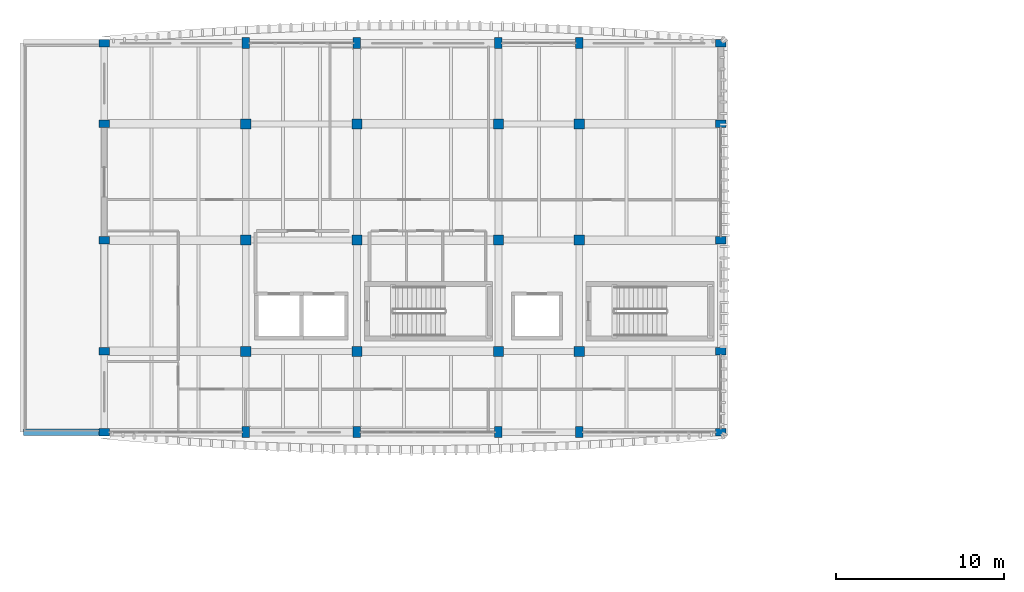
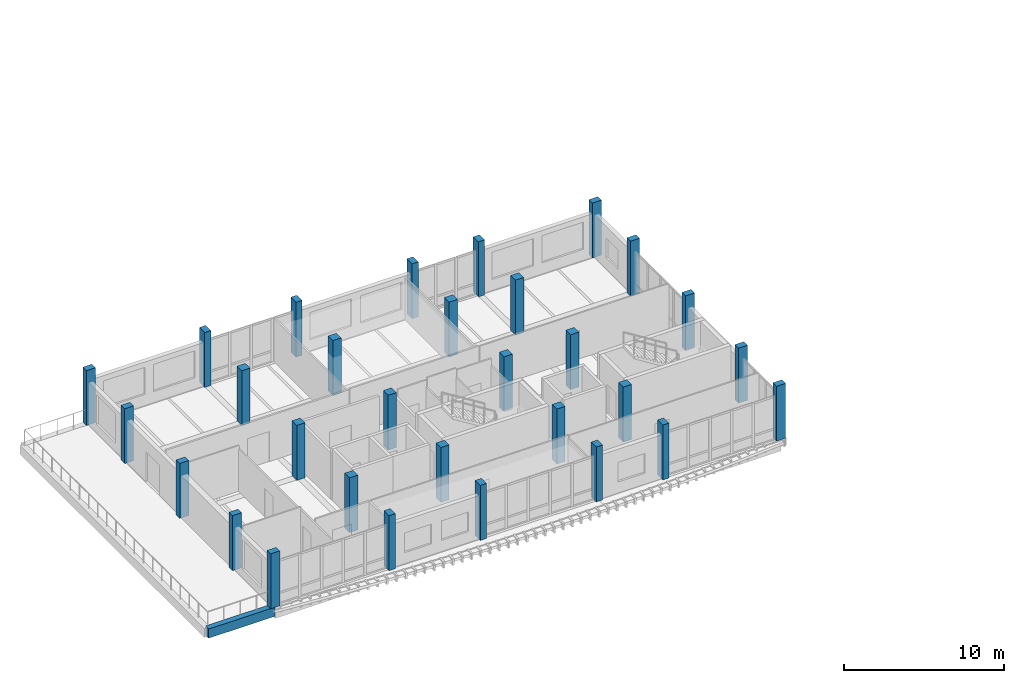
# One storey, part 1 of 20: 30 columns, 1 beam.
"""IFC4 building model written with IfcOpenShell, lengths in metres."""

from ifc_helpers import new_model, si_unit, direction, frame, origin, origin_2d, place, context, subcontext, project, spatial, rectangle, extrude, material, material_profile, profile_set, type_object, element, save


model = new_model("IFC4")

# Units and contexts
model_context = context("Model", 3, precision=1e-05, world=origin(), true_north=direction((0.0, 1.0)))
body_context = subcontext(model_context, "Body", "Model", "MODEL_VIEW")
ifc_project = project(units=[si_unit("LENGTHUNIT", "METRE"), si_unit("AREAUNIT", "SQUARE_METRE"), si_unit("VOLUMEUNIT", "CUBIC_METRE"), si_unit("PLANEANGLEUNIT", "RADIAN"), si_unit("MASSUNIT", "GRAM", prefix="KILO")], contexts=[model_context])

# Site, building, storey
site_placement = place(None, origin())
site = spatial("IfcSite", under=ifc_project, at=site_placement, CompositionType="ELEMENT")
building_placement = place(site_placement, origin())
building = spatial("IfcBuilding", under=site, at=building_placement, Name="Dornvale Research Institute", CompositionType="ELEMENT")
storey_placement = place(building_placement, frame((0.0, 0.0, 34.199951171875)))
storey = spatial("IfcBuildingStorey", under=building, at=storey_placement, Name="L07", CompositionType="ELEMENT", Elevation=34.199951171875)

# Columns
ifc_material_1 = material(Name="Concrete f'c 45 MPa (C35/45)", Category="concrete")
ifc_material_profile_1 = material_profile(ifc_material_1, rectangle(XDim=0.60009765625, YDim=0.60009765625, at=origin_2d()), Name="RC 600x600")
ifc_profile_set_1 = profile_set([ifc_material_profile_1], Name="Concrete f'c 45 MPa (C35/45)")
column_type_1 = type_object("IfcColumnType", Name="Column_RC600", PredefinedType="COLUMN", material=ifc_profile_set_1)
for number, where, z_axis, x_axis, name in (
    (1, (13.199951171875, 103.800048828125, 0.0), (0.0, 0.0, 1.0), (1.0, 0.0, 0.0), "L07 column #312"),
    (2, (13.199951171875, 110.39990234375, 0.0), (0.0, 0.0, 1.0), (1.0, 0.0, 0.0), "L07 column #313"),
    (3, (13.199951171875, 117.300048828125, 0.0), (0.0, 0.0, 1.0), (1.0, 0.0, 0.0), "L07 column #314"),
    (4, (19.800048828125, 103.800048828125, 0.0), (0.0, 0.0, 1.0), (1.0, 0.0, 0.0), "L07 column #317"),
    (5, (19.800048828125, 110.39990234375, 0.0), (0.0, 0.0, 1.0), (1.0, 0.0, 0.0), "L07 column #318"),
    (6, (19.800048828125, 117.300048828125, 0.0), (0.0, 0.0, 1.0), (1.0, 0.0, 0.0), "L07 column #319"),
    (7, (28.199951171875, 103.800048828125, 0.0), (0.0, 0.0, 1.0), (1.0, 0.0, 0.0), "L07 column #322"),
    (8, (28.199951171875, 110.39990234375, 0.0), (0.0, 0.0, 1.0), (1.0, 0.0, 0.0), "L07 column #323"),
    (9, (28.199951171875, 117.300048828125, 0.0), (0.0, 0.0, 1.0), (1.0, 0.0, 0.0), "L07 column #324"),
    (10, (33.0, 103.800048828125, 0.0), (0.0, 0.0, 1.0), (1.0, 0.0, 0.0), "L07 column #327"),
    (11, (33.0, 110.39990234375, 0.0), (0.0, 0.0, 1.0), (1.0, 0.0, 0.0), "L07 column #328"),
    (12, (33.0, 117.300048828125, 0.0), (0.0, 0.0, 1.0), (1.0, 0.0, 0.0), "L07 column #329"),
):
    element("IfcColumn", number, at=place(storey_placement, frame(where, z_axis=z_axis, x_axis=x_axis)), inside=storey, type_object=column_type_1, Name=name, PredefinedType="COLUMN", context=body_context, shape_type="SweptSolid", body=[
        extrude(rectangle(XDim=0.60009765625, YDim=0.60009765625, at=origin_2d()), origin(), (0.0, 0.0, 1.0), 4.199951171875),
    ])
ifc_material_2 = material(Name="Concrete f'c 45 MPa (C35/45)", Category="concrete")
ifc_material_profile_2 = material_profile(ifc_material_2, rectangle(XDim=0.449951171875, YDim=0.64990234375, at=origin_2d()), Name="RC 450x650")
ifc_profile_set_2 = profile_set([ifc_material_profile_2], Name="Concrete f'c 45 MPa (C35/45)")
column_type_2 = type_object("IfcColumnType", Name="Pilaster_RC450x650_Ext", PredefinedType="PILASTER", material=ifc_profile_set_2)
for number, where, z_axis, x_axis, name in (
    (13, (4.800048828125, 99.0, 0.0), (0.0, 0.0, 1.0), (0.0, 1.0, 0.0), "L07 column #306"),
    (14, (4.800048828125, 103.800048828125, 0.0), (0.0, 0.0, 1.0), (0.0, 1.0, 0.0), "L07 column #307"),
    (15, (4.800048828125, 110.39990234375, 0.0), (0.0, 0.0, 1.0), (0.0, 1.0, 0.0), "L07 column #308"),
    (16, (4.800048828125, 117.300048828125, 0.0), (0.0, 0.0, 1.0), (0.0, 1.0, 0.0), "L07 column #309"),
    (17, (4.800048828125, 122.10009765625, 0.0), (0.0, 0.0, 1.0), (0.0, 1.0, 0.0), "L07 column #310"),
    (18, (13.199951171875, 99.0, 0.0), (0.0, 0.0, 1.0), (1.0, 0.0, 0.0), "L07 column #311"),
    (19, (13.199951171875, 122.10009765625, 0.0), (0.0, 0.0, 1.0), (1.0, 0.0, 0.0), "L07 column #315"),
    (20, (19.800048828125, 99.0, 0.0), (0.0, 0.0, 1.0), (1.0, 0.0, 0.0), "L07 column #316"),
    (21, (19.800048828125, 122.10009765625, 0.0), (0.0, 0.0, 1.0), (1.0, 0.0, 0.0), "L07 column #320"),
    (22, (28.199951171875, 99.0, 0.0), (0.0, 0.0, 1.0), (1.0, 0.0, 0.0), "L07 column #321"),
    (23, (28.199951171875, 122.10009765625, 0.0), (0.0, 0.0, 1.0), (1.0, 0.0, 0.0), "L07 column #325"),
    (24, (33.0, 99.0, 0.0), (0.0, 0.0, 1.0), (1.0, 0.0, 0.0), "L07 column #326"),
    (25, (33.0, 122.10009765625, 0.0), (0.0, 0.0, 1.0), (1.0, 0.0, 0.0), "L07 column #330"),
    (26, (41.39990234375, 99.0, 0.0), (0.0, 0.0, 1.0), (0.0, 1.0, 0.0), "L07 column #331"),
    (27, (41.39990234375, 103.800048828125, 0.0), (0.0, 0.0, 1.0), (0.0, 1.0, 0.0), "L07 column #332"),
    (28, (41.39990234375, 110.39990234375, 0.0), (0.0, 0.0, 1.0), (0.0, 1.0, 0.0), "L07 column #333"),
    (29, (41.39990234375, 117.300048828125, 0.0), (0.0, 0.0, 1.0), (0.0, 1.0, 0.0), "L07 column #334"),
    (30, (41.39990234375, 122.10009765625, 0.0), (0.0, 0.0, 1.0), (0.0, 1.0, 0.0), "L07 column #335"),
):
    element("IfcColumn", number, at=place(storey_placement, frame(where, z_axis=z_axis, x_axis=x_axis)), inside=storey, type_object=column_type_2, Name=name, PredefinedType="PILASTER", context=body_context, shape_type="SweptSolid", body=[
        extrude(rectangle(XDim=0.449951171875, YDim=0.64990234375, at=origin_2d()), origin(), (0.0, 0.0, 1.0), 4.199951171875),
    ])

# Beam
ifc_material_3 = material(Name="Concrete f'c 45 MPa (C35/45)", Category="concrete")
ifc_material_profile_3 = material_profile(ifc_material_3, rectangle(XDim=0.39990234375, YDim=0.699951171875, at=origin_2d()), Name="RC 400x700")
ifc_profile_set_3 = profile_set([ifc_material_profile_3], Name="Concrete f'c 45 MPa (C35/45)")
beam_type = type_object("IfcBeamType", Name="Spandrel_RC400x700_Ext", PredefinedType="SPANDREL", material=ifc_profile_set_3)
beam_placement = place(storey_placement, frame((0.0, 99.0, -0.349853515625), z_axis=(1.0, 0.0, 0.0), x_axis=(0.0, 1.0, 0.0)))
element("IfcBeam", 31, at=beam_placement, inside=storey, type_object=beam_type, Name="L07 terrace edge beam #1659", PredefinedType="SPANDREL", context=body_context, shape_type="SweptSolid", body=[
    extrude(rectangle(XDim=0.39990234375, YDim=0.699951171875, at=origin_2d()), origin(), (0.0, 0.0, 1.0), 4.800048828125),
])

save(model, "model.ifc")
